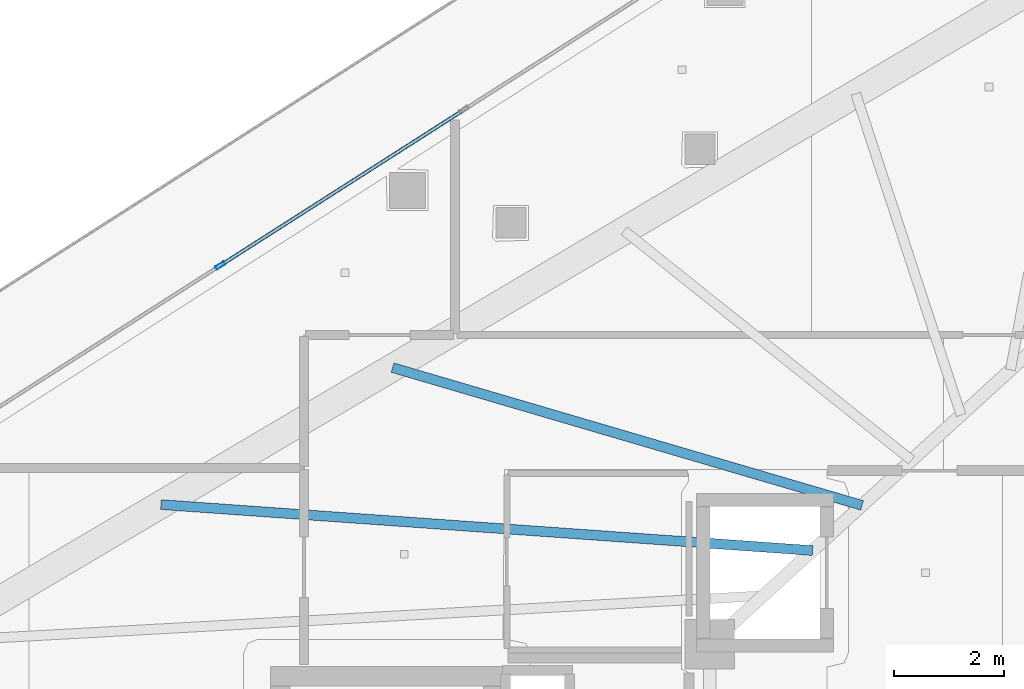
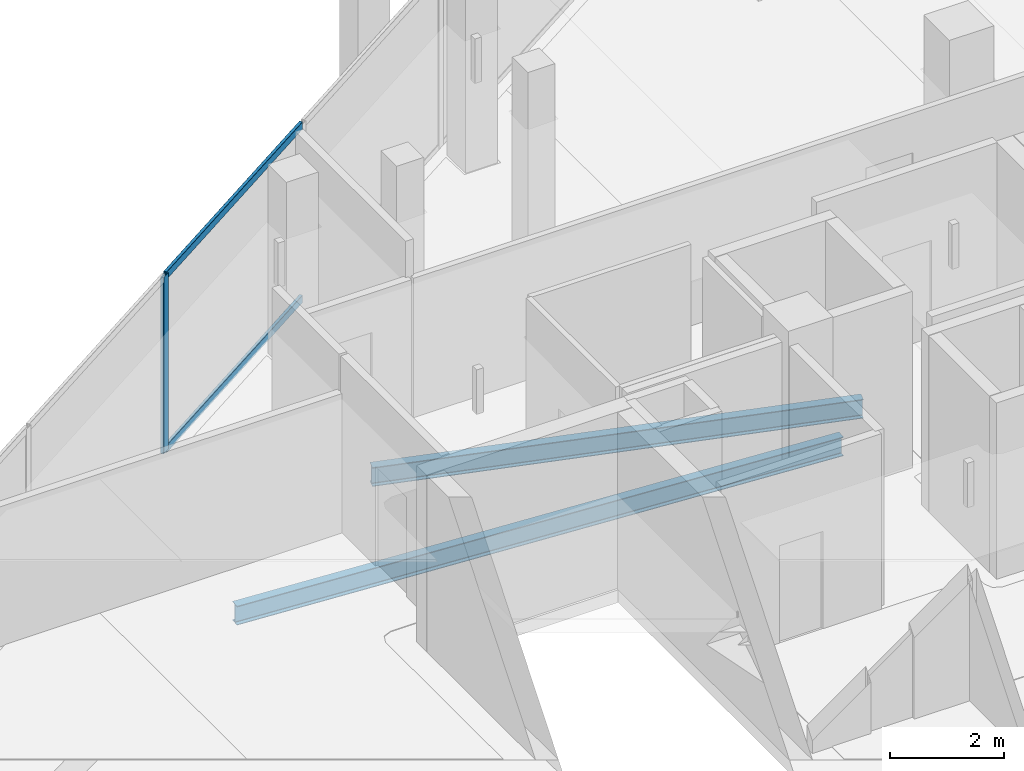
# One storey, part 14 of 30: 3 members, 2 beams, 1 element without a shape of its own.
"""IFC4 building model written with IfcOpenShell, lengths in metres."""

from ifc_helpers import new_model, si_unit, direction, frame, origin, origin_2d, place, context, subcontext, project, spatial, hollow_rectangle, i_section, extrude, material, layer, layer_set, material_profile, profile_set, type_object, element, aggregate, save


model = new_model("IFC4")

# Units and contexts
model_context = context("Model", 3, precision=1e-05, world=origin(), true_north=direction((0.0, 1.0)))
body_context = subcontext(model_context, "Body", "Model", "MODEL_VIEW")
ifc_project = project(units=[si_unit("LENGTHUNIT", "METRE"), si_unit("AREAUNIT", "SQUARE_METRE"), si_unit("VOLUMEUNIT", "CUBIC_METRE"), si_unit("PLANEANGLEUNIT", "RADIAN"), si_unit("MASSUNIT", "GRAM", prefix="KILO")], contexts=[model_context])

# Site, building, storey
site_placement = place(None, origin())
site = spatial("IfcSite", under=ifc_project, at=site_placement, CompositionType="ELEMENT")
building_placement = place(site_placement, origin())
building = spatial("IfcBuilding", under=site, at=building_placement, Name="Qorvath Tower", CompositionType="ELEMENT")
storey_placement = place(building_placement, frame((0.0, 0.0, 217.199951171875)))
storey = spatial("IfcBuildingStorey", under=building, at=storey_placement, Name="L50", CompositionType="ELEMENT", Elevation=217.199951171875)

# Beams
ifc_material_1 = material(Name="Steel ASTM A992 Grade 50", Category="steel")
ifc_material_profile_1 = material_profile(ifc_material_1, i_section(OverallWidth=0.177978515625, OverallDepth=0.406005859375, WebThickness=0.0078125, FlangeThickness=0.0126953125, FilletRadius=0.010986328125, at=origin_2d()), Name="W16x40")
ifc_profile_set_1 = profile_set([ifc_material_profile_1], Name="Steel ASTM A992 Grade 50")
beam_type = type_object("IfcBeamType", Name="BM-FJ3", PredefinedType="JOIST", material=ifc_profile_set_1)
beam_1_placement = place(storey_placement, frame((-28.636962890625, 6.85107421875, -0.47314453125), z_axis=(-0.997520476731, 0.070376832146, 0.0), x_axis=(-0.070376832146, -0.997520476731, 0.0)))
element("IfcBeam", 1, at=beam_1_placement, inside=storey, type_object=beam_type, Name="Composite Floor Joist NW2 L50", PredefinedType="JOIST", context=body_context, shape_type="SweptSolid", body=[
    extrude(i_section(OverallWidth=0.177978515625, OverallDepth=0.406005859375, WebThickness=0.0078125, FlangeThickness=0.0126953125, FilletRadius=0.010986328125, at=origin_2d()), origin(), (0.0, 0.0, 1.0), 11.84326171875),
])
beam_2_placement = place(storey_placement, frame((-27.739990234375, 7.669921875, -0.47314453125), z_axis=(-0.959544992264, 0.281555337049, 0.0), x_axis=(-0.281555337049, -0.959544992264, 0.0)))
element("IfcBeam", 2, at=beam_2_placement, inside=storey, type_object=beam_type, Name="Composite Floor Joist NW3 L50", PredefinedType="JOIST", context=body_context, shape_type="SweptSolid", body=[
    extrude(i_section(OverallWidth=0.177978515625, OverallDepth=0.406005859375, WebThickness=0.0078125, FlangeThickness=0.0126953125, FilletRadius=0.010986328125, at=origin_2d()), origin(), (0.0, 0.0, 1.0), 8.87060546875),
])

# Curtain wall, members
ifc_material_2 = material(Name="Anodised aluminium and triple low-E glass", Category="aluminium")
ifc_layer = layer(ifc_material_2, 0.179931640625)
ifc_layer_set = layer_set([ifc_layer], Name="CW-SYS-3")
curtain_wall_type = type_object("IfcCurtainWallType", Name="CW-SYS-3", PredefinedType="NOTDEFINED", material=ifc_layer_set)
curtain_wall_placement = place(storey_placement, origin())
curtain_wall = element("IfcCurtainWall", 3, at=curtain_wall_placement, inside=storey, type_object=curtain_wall_type, Name="Curtain Wall CW-3 CW-T-L50-16.1", PredefinedType="NOTDEFINED")
ifc_material_3 = material(Name="Anodised aluminium 6063-T6", Category="aluminium")
ifc_material_profile_2 = material_profile(ifc_material_3, hollow_rectangle(XDim=0.06494140625, YDim=0.179931640625, WallThickness=0.00341796875, InnerFilletRadius=0.00341796875, OuterFilletRadius=0.007080078125, at=origin_2d()), Name="CWM 180x65")
ifc_profile_set_2 = profile_set([ifc_material_profile_2], Name="Anodised aluminium 6063-T6")
member_type_1 = type_object("IfcMemberType", Name="CWM-180", PredefinedType="MULLION", material=ifc_profile_set_2)
member_1_placement = place(storey_placement, frame((-39.374267578125, 12.018798828125, 0.0), z_axis=(0.0, 0.0, 1.0), x_axis=(0.538534785809, -0.842603278224, 0.0)))
member_1 = element("IfcMember", 4, at=member_1_placement, type_object=member_type_1, Name="CW-3 mullion 6", PredefinedType="MULLION", context=body_context, shape_type="SweptSolid", body=[
    extrude(hollow_rectangle(XDim=0.06494140625, YDim=0.179931640625, WallThickness=0.00341796875, InnerFilletRadius=0.00341796875, OuterFilletRadius=0.007080078125, at=origin_2d()), origin(), (0.0, 0.0, 1.0), 3.780029296875),
])
ifc_material_4 = material(Name="Anodised aluminium 6063-T6", Category="aluminium")
ifc_material_profile_3 = material_profile(ifc_material_4, hollow_rectangle(XDim=0.06494140625, YDim=0.159912109375, WallThickness=0.00341796875, InnerFilletRadius=0.00341796875, OuterFilletRadius=0.007080078125, at=origin_2d()), Name="CWT 160x65")
ifc_profile_set_3 = profile_set([ifc_material_profile_3], Name="Anodised aluminium 6063-T6")
member_type_2 = type_object("IfcMemberType", Name="CWT-160", PredefinedType="USERDEFINED", material=ifc_profile_set_3)
member_2_placement = place(storey_placement, frame((-34.984619140625, 14.824462890625, 0.032470703125), z_axis=(-0.842603535115, -0.538534383871, 0.0), x_axis=(0.538534383871, -0.842603535115, 0.0)))
member_2 = element("IfcMember", 5, at=member_2_placement, type_object=member_type_2, Name="CW-3 transom 5.1", ObjectType="TRANSOM", PredefinedType="USERDEFINED", context=body_context, shape_type="SweptSolid", body=[
    extrude(hollow_rectangle(XDim=0.06494140625, YDim=0.159912109375, WallThickness=0.00341796875, InnerFilletRadius=0.00341796875, OuterFilletRadius=0.007080078125, at=origin_2d()), origin(), (0.0, 0.0, 1.0), 5.17724609375),
])
member_3_placement = place(storey_placement, frame((-34.984619140625, 14.824462890625, 3.74755859375), z_axis=(-0.842603535115, -0.538534383871, 0.0), x_axis=(0.538534383871, -0.842603535115, 0.0)))
member_3 = element("IfcMember", 6, at=member_3_placement, type_object=member_type_2, Name="CW-3 transom 5.2", ObjectType="TRANSOM", PredefinedType="USERDEFINED", context=body_context, shape_type="SweptSolid", body=[
    extrude(hollow_rectangle(XDim=0.06494140625, YDim=0.159912109375, WallThickness=0.00341796875, InnerFilletRadius=0.00341796875, OuterFilletRadius=0.007080078125, at=origin_2d()), origin(), (0.0, 0.0, 1.0), 5.17724609375),
])
aggregate(curtain_wall, [member_1, member_2, member_3])

save(model, "model.ifc")
